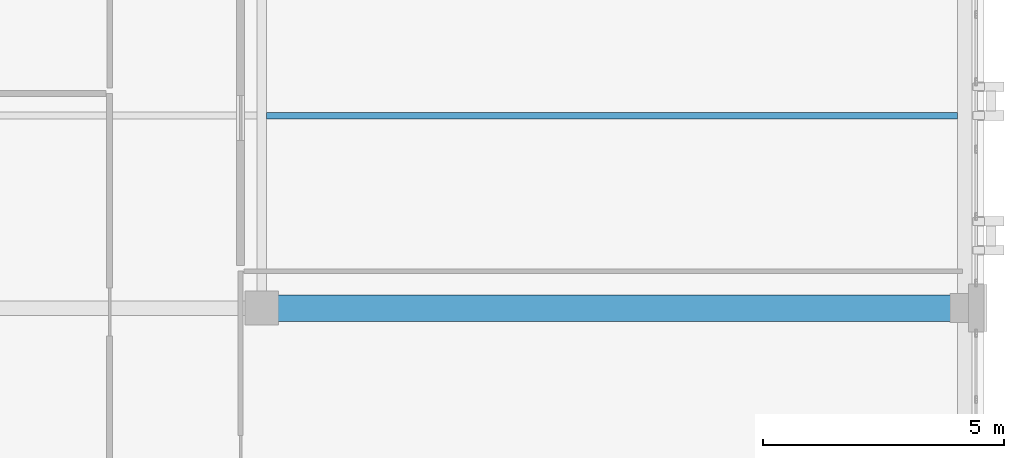
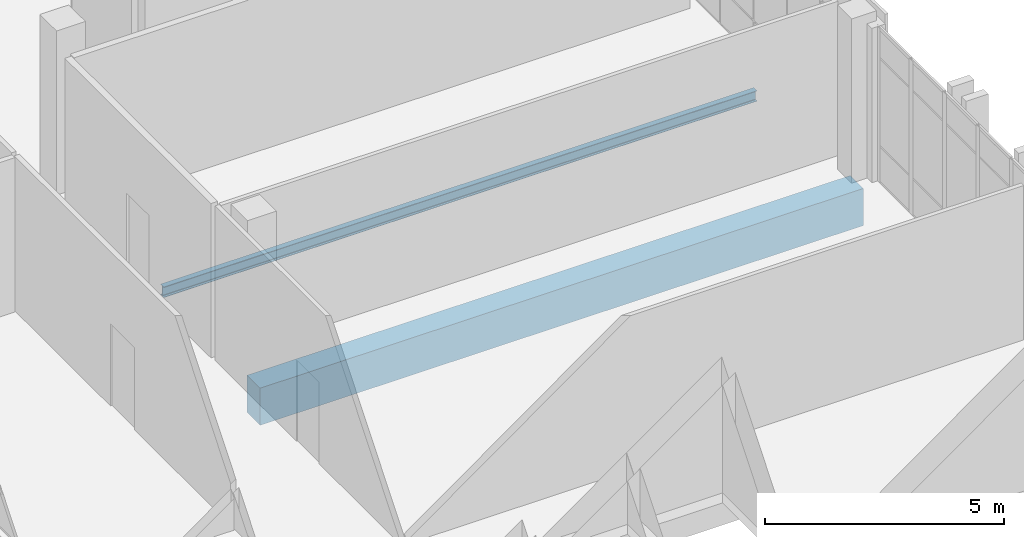
# One storey, part 9 of 19: 2 beams.
"""IFC4 building model written with IfcOpenShell, lengths in metres."""

from ifc_helpers import new_model, si_unit, direction, frame, origin, origin_2d, place, context, subcontext, project, spatial, rectangle, i_section, extrude, material, material_profile, profile_set, type_object, element, save


model = new_model("IFC4")

# Units and contexts
model_context = context("Model", 3, precision=1e-05, world=origin(), true_north=direction((0.0, 1.0)))
body_context = subcontext(model_context, "Body", "Model", "MODEL_VIEW")
ifc_project = project(units=[si_unit("LENGTHUNIT", "METRE"), si_unit("AREAUNIT", "SQUARE_METRE"), si_unit("VOLUMEUNIT", "CUBIC_METRE"), si_unit("PLANEANGLEUNIT", "RADIAN"), si_unit("MASSUNIT", "GRAM", prefix="KILO")], contexts=[model_context])

# Site, building, storey
site_placement = place(None, origin())
site = spatial("IfcSite", under=ifc_project, at=site_placement, CompositionType="ELEMENT")
building_placement = place(site_placement, origin())
building = spatial("IfcBuilding", under=site, at=building_placement, Name="Qalavern Law Courts", CompositionType="ELEMENT")
storey_placement = place(building_placement, frame((0.0, 0.0, 39.60009765625)))
storey = spatial("IfcBuildingStorey", under=building, at=storey_placement, Name="L09", CompositionType="ELEMENT", Elevation=39.60009765625)

# Beams
ifc_material_1 = material(Name="Concrete C40/50", Category="concrete")
ifc_material_profile_1 = material_profile(ifc_material_1, rectangle(XDim=0.550048828125, YDim=0.949951171875, at=origin_2d()), Name="RC 550x950")
ifc_profile_set_1 = profile_set([ifc_material_profile_1], Name="Concrete C40/50")
beam_type_1 = type_object("IfcBeamType", Name="STR-BM-RC550x950", PredefinedType="BEAM", material=ifc_profile_set_1)
beam_1_placement = place(storey_placement, frame((91.800048828125, 57.39990234375, -0.72998046875), z_axis=(1.0, 0.0, 0.0), x_axis=(0.0, 1.0, 0.0)))
element("IfcBeam", 1, at=beam_1_placement, inside=storey, type_object=beam_type_1, Name="V4 X-beam 3-2 L09", PredefinedType="BEAM", context=body_context, shape_type="SweptSolid", body=[
    extrude(rectangle(XDim=0.550048828125, YDim=0.949951171875, at=origin_2d()), origin(), (0.0, 0.0, 1.0), 14.599853515625),
])
ifc_material_2 = material(Name="Steel S355", Category="steel")
ifc_material_profile_2 = material_profile(ifc_material_2, i_section(OverallWidth=0.135009765625, OverallDepth=0.27001953125, WebThickness=0.006591796875, FlangeThickness=0.01025390625, FilletRadius=0.014892578125, at=origin_2d()), Name="IPE 270")
ifc_profile_set_2 = profile_set([ifc_material_profile_2], Name="Steel S355")
beam_type_2 = type_object("IfcBeamType", Name="STR-JST-IPE270", PredefinedType="JOIST", material=ifc_profile_set_2)
beam_2_placement = place(storey_placement, frame((91.89794921875, 61.39990234375, -0.39013671875), z_axis=(1.0, 0.0, 0.0), x_axis=(0.0, 1.0, 0.0)))
element("IfcBeam", 2, at=beam_2_placement, inside=storey, type_object=beam_type_2, Name="V4 secondary joist 2.3.1 L09", PredefinedType="JOIST", context=body_context, shape_type="SweptSolid", body=[
    extrude(i_section(OverallWidth=0.135009765625, OverallDepth=0.27001953125, WebThickness=0.006591796875, FlangeThickness=0.01025390625, FilletRadius=0.014892578125, at=origin_2d()), origin(), (0.0, 0.0, 1.0), 14.35400390625),
])

save(model, "model.ifc")
